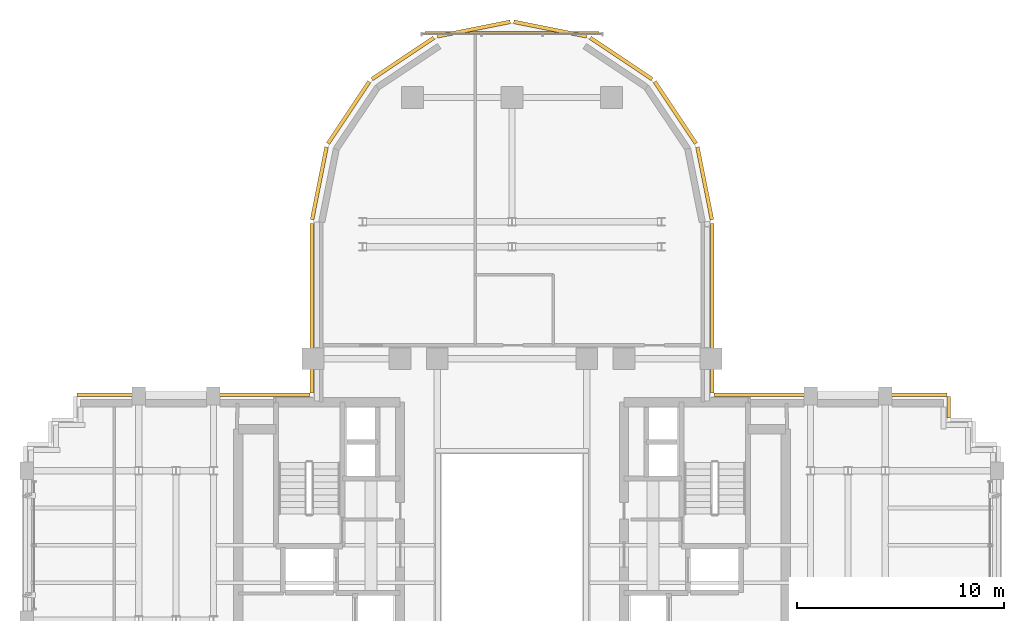
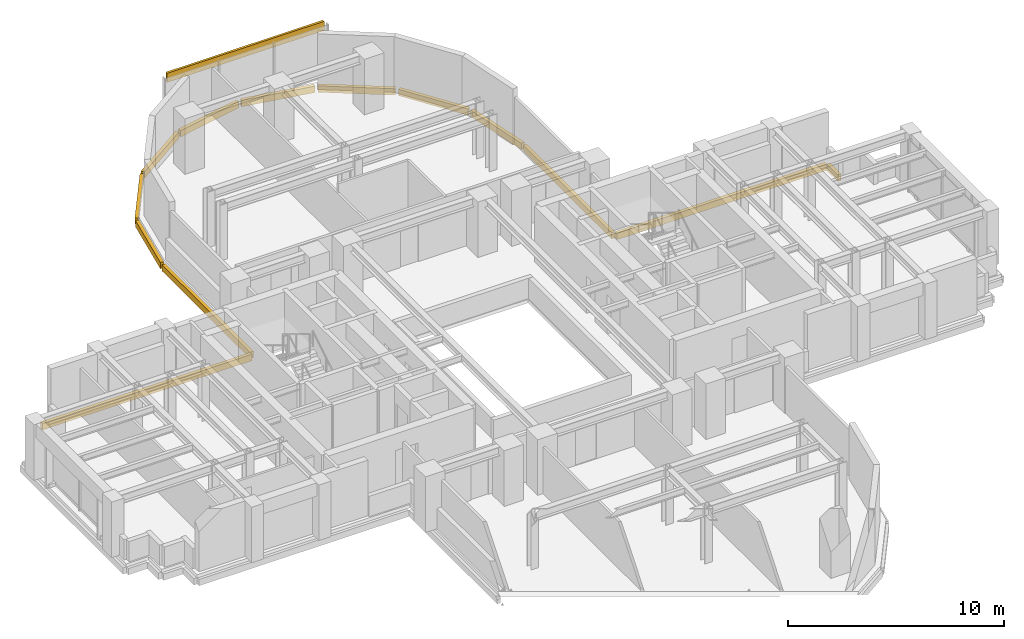
# One storey, part 13 of 13: 14 coverings.
"""IFC4 building model written with IfcOpenShell, lengths in metres."""

from ifc_helpers import new_model, si_unit, direction, frame, origin, origin_2d, place, context, subcontext, project, spatial, rectangle, extrude, source, transform, mapped, material, layer, layer_set, type_object, element, save


model = new_model("IFC4")

# Units and contexts
model_context = context("Model", 3, precision=1e-05, world=origin(), true_north=direction((0.0, 1.0)))
body_context = subcontext(model_context, "Body", "Model", "MODEL_VIEW")
ifc_project = project(units=[si_unit("LENGTHUNIT", "METRE"), si_unit("AREAUNIT", "SQUARE_METRE"), si_unit("VOLUMEUNIT", "CUBIC_METRE"), si_unit("PLANEANGLEUNIT", "RADIAN"), si_unit("MASSUNIT", "GRAM", prefix="KILO")], contexts=[model_context])

# Site, building, storey
site_placement = place(None, origin())
site = spatial("IfcSite", under=ifc_project, at=site_placement, CompositionType="ELEMENT")
building_placement = place(site_placement, origin())
building = spatial("IfcBuilding", under=site, at=building_placement, Name="Keilestroom Media Tower", CompositionType="ELEMENT")
storey_placement = place(building_placement, frame((0.0, 0.0, 148.199951171875)))
storey = spatial("IfcBuildingStorey", under=building, at=storey_placement, Name="L40", CompositionType="ELEMENT", Elevation=148.199951171875)

# Coverings
ifc_material = material(Name="Precast concrete C40/50", Category="concrete")
ifc_layer = layer(ifc_material, 0.1201171875)
ifc_layer_set = layer_set([ifc_layer], Name="Precast concrete C40/50")
covering_type = type_object("IfcCoveringType", Name="Exterior-Precast-Spandrel-Cladding-Panel-120", PredefinedType="CLADDING", material=ifc_layer_set)
shared_shape_1 = source(origin(), body_context, "Body", "SweptSolid", [
    extrude(rectangle(XDim=8.39990234375, YDim=0.1201171875, at=origin_2d()), origin(), (0.0, 0.0, 1.0), 0.52001953125),
])
covering_1_placement = place(storey_placement, frame((0.0, 24.719970703125, 2.630126953125), z_axis=(0.0, 0.0, 1.0), x_axis=(1.0, 0.0, 0.0)))
element("IfcCovering", 1, at=covering_1_placement, inside=storey, type_object=covering_type, Name="L40 Precast Spandrel Cladding N", PredefinedType="CLADDING", context=body_context, shape_type="MappedRepresentation", body=[
    mapped(shared_shape_1, transform((0.0, 0.0, 0.0), x_axis=(1.0, 0.0, 0.0), y_axis=(0.0, 1.0, 0.0), z_axis=(0.0, 0.0, 1.0), scale=1.0)),
])
shared_shape_2 = source(origin(), body_context, "Body", "SweptSolid", [
    extrude(rectangle(XDim=1.02001953125, YDim=0.179931640625, at=origin_2d()), origin(), (0.0, 0.0, 1.0), 0.360107421875),
])
covering_2_placement = place(storey_placement, frame((21.06005859375, 6.659912109375, -0.5400390625), z_axis=(0.0, 0.0, 1.0), x_axis=(0.0, -1.0, 0.0)))
element("IfcCovering", 2, at=covering_2_placement, inside=storey, type_object=covering_type, Name="L40 Precast Slab-Edge Fascia Cornice 38", PredefinedType="CLADDING", context=body_context, shape_type="MappedRepresentation", body=[
    mapped(shared_shape_2, transform((0.0, 0.0, 0.0), x_axis=(1.0, 0.0, 0.0), y_axis=(0.0, 1.0, 0.0), z_axis=(0.0, 0.0, 1.0), scale=1.0)),
])
shared_shape_3 = source(origin(), body_context, "Body", "SweptSolid", [
    extrude(rectangle(XDim=8.166015625, YDim=0.179931640625, at=origin_2d()), origin(), (0.0, 0.0, 1.0), 0.360107421875),
])
for number, where, z_axis, x_axis, name in (
    (3, (-9.659912109375, 11.43310546875, -0.5400390625), (0.0, 0.0, 1.0), (0.0, 1.0, 0.0), "L40 Precast Slab-Edge Fascia Cornice 27"),
    (4, (9.659912109375, 11.43310546875, -0.5400390625), (0.0, 0.0, 1.0), (0.0, -1.0, 0.0), "L40 Precast Slab-Edge Fascia Cornice 36"),
):
    element("IfcCovering", number, at=place(storey_placement, frame(where, z_axis=z_axis, x_axis=x_axis)), inside=storey, type_object=covering_type, Name=name, PredefinedType="CLADDING", context=body_context, shape_type="MappedRepresentation", body=[
        mapped(shared_shape_3, transform((0.0, 0.0, 0.0), x_axis=(1.0, 0.0, 0.0), y_axis=(0.0, 1.0, 0.0), z_axis=(0.0, 0.0, 1.0), scale=1.0)),
    ])
shared_shape_4 = source(origin(), body_context, "Body", "SweptSolid", [
    extrude(rectangle(XDim=3.58349609375, YDim=0.179931640625, at=origin_2d()), origin(), (0.0, 0.0, 1.0), 0.360107421875),
])
for number, where, z_axis, x_axis, name in (
    (5, (-9.29296875, 17.45166015625, -0.5400390625), (0.0, 0.0, 1.0), (0.195098880975, 0.980783577882, 0.0), "L40 Precast Slab-Edge Fascia Cornice 28"),
    (6, (9.29296875, 17.45166015625, -0.5400390625), (0.0, 0.0, 1.0), (0.195098880975, -0.980783577882, 0.0), "L40 Precast Slab-Edge Fascia Cornice 35"),
):
    element("IfcCovering", number, at=place(storey_placement, frame(where, z_axis=z_axis, x_axis=x_axis)), inside=storey, type_object=covering_type, Name=name, PredefinedType="CLADDING", context=body_context, shape_type="MappedRepresentation", body=[
        mapped(shared_shape_4, transform((0.0, 0.0, 0.0), x_axis=(1.0, 0.0, 0.0), y_axis=(0.0, 1.0, 0.0), z_axis=(0.0, 0.0, 1.0), scale=1.0)),
    ])
shared_shape_5 = source(origin(), body_context, "Body", "SweptSolid", [
    extrude(rectangle(XDim=3.589599609375, YDim=0.179931640625, at=origin_2d()), origin(), (0.0, 0.0, 1.0), 0.360107421875),
])
for number, where, z_axis, x_axis, name in (
    (7, (-7.878662109375, 20.8642578125, -0.5400390625), (0.0, 0.0, 1.0), (0.555574586577, 0.831466703332, 0.0), "L40 Precast Slab-Edge Fascia Cornice 29"),
    (8, (-5.264404296875, 23.478515625, -0.5400390625), (0.0, 0.0, 1.0), (0.831466703332, 0.555574586577, 0.0), "L40 Precast Slab-Edge Fascia Cornice 30"),
    (9, (-1.8486328125, 24.893310546875, -0.5400390625), (0.0, 0.0, 1.0), (0.980783577882, 0.195098880975, 0.0), "L40 Precast Slab-Edge Fascia Cornice 31"),
    (10, (1.8486328125, 24.893310546875, -0.5400390625), (0.0, 0.0, 1.0), (0.980783577882, -0.195098880975, 0.0), "L40 Precast Slab-Edge Fascia Cornice 32"),
    (11, (5.264404296875, 23.478515625, -0.5400390625), (0.0, 0.0, 1.0), (0.831466703332, -0.555574586577, 0.0), "L40 Precast Slab-Edge Fascia Cornice 33"),
    (12, (7.878662109375, 20.8642578125, -0.5400390625), (0.0, 0.0, 1.0), (0.555574586577, -0.831466703332, 0.0), "L40 Precast Slab-Edge Fascia Cornice 34"),
):
    element("IfcCovering", number, at=place(storey_placement, frame(where, z_axis=z_axis, x_axis=x_axis)), inside=storey, type_object=covering_type, Name=name, PredefinedType="CLADDING", context=body_context, shape_type="MappedRepresentation", body=[
        mapped(shared_shape_5, transform((0.0, 0.0, 0.0), x_axis=(1.0, 0.0, 0.0), y_axis=(0.0, 1.0, 0.0), z_axis=(0.0, 0.0, 1.0), scale=1.0)),
    ])
shared_shape_6 = source(origin(), body_context, "Body", "SweptSolid", [
    extrude(rectangle(XDim=11.219970703125, YDim=0.179931640625, at=origin_2d()), origin(), (0.0, 0.0, 1.0), 0.360107421875),
])
for number, where, z_axis, x_axis, name in (
    (13, (-15.360107421875, 7.260009765625, -0.5400390625), (0.0, 0.0, 1.0), (1.0, 0.0, 0.0), "L40 Precast Slab-Edge Fascia Cornice 26"),
    (14, (15.360107421875, 7.260009765625, -0.5400390625), (0.0, 0.0, 1.0), (1.0, 0.0, 0.0), "L40 Precast Slab-Edge Fascia Cornice 37"),
):
    element("IfcCovering", number, at=place(storey_placement, frame(where, z_axis=z_axis, x_axis=x_axis)), inside=storey, type_object=covering_type, Name=name, PredefinedType="CLADDING", context=body_context, shape_type="MappedRepresentation", body=[
        mapped(shared_shape_6, transform((0.0, 0.0, 0.0), x_axis=(1.0, 0.0, 0.0), y_axis=(0.0, 1.0, 0.0), z_axis=(0.0, 0.0, 1.0), scale=1.0)),
    ])

save(model, "model.ifc")
